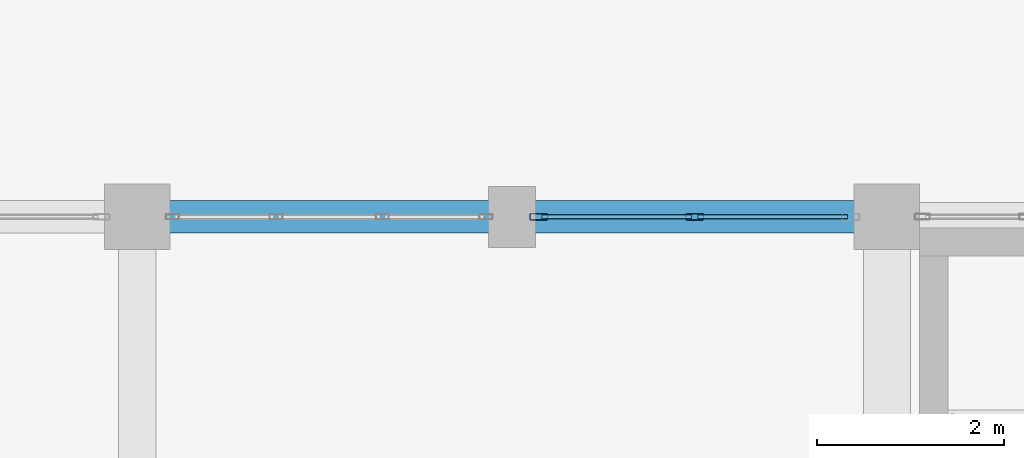
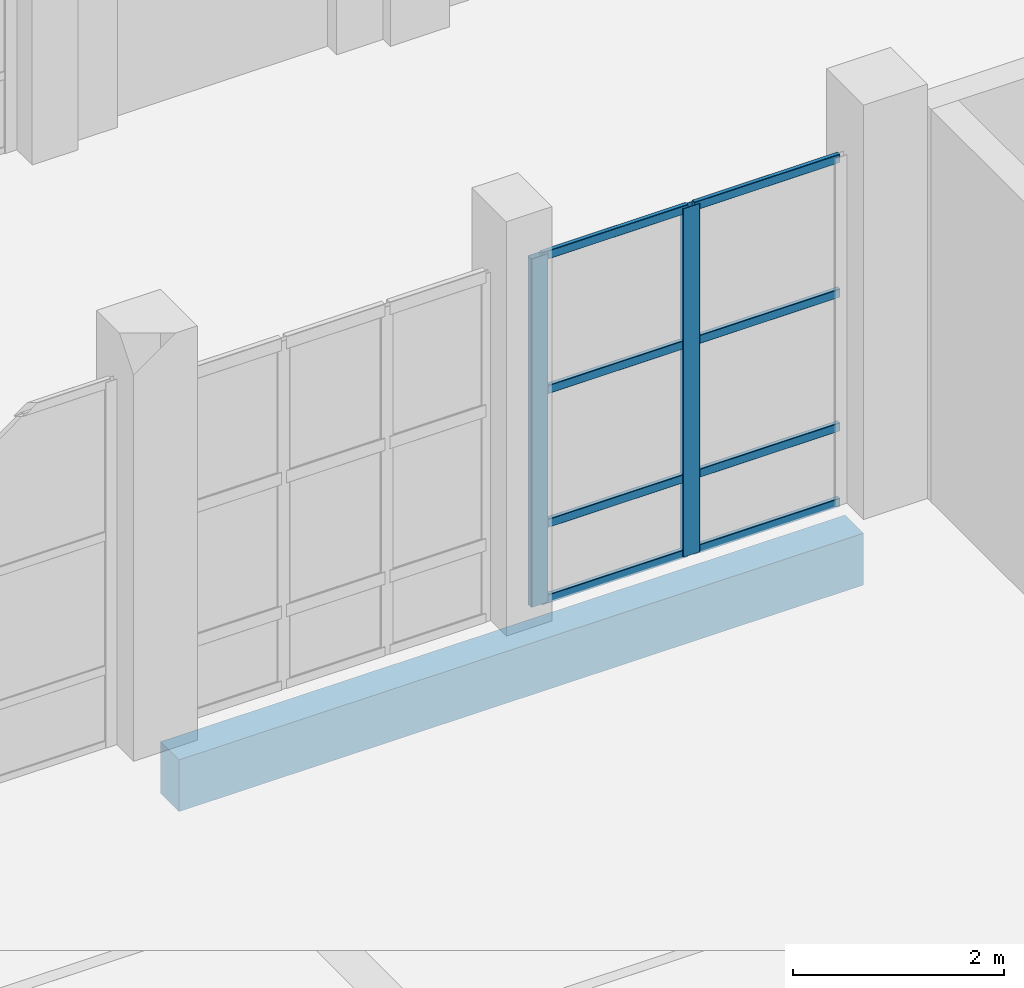
# One storey, part 16 of 156: 10 members, 1 beam, 1 element without a shape of its own.
"""IFC4 building model written with IfcOpenShell, lengths in metres."""

import ifcopenshell
import ifcopenshell.guid

model = None  # the IFC model being written
_history = None  # IfcOwnerHistory: only IFC2X3 demands one
_inside = {}  # id of a spatial element -> (the spatial element, [elements in it])
_under = {}  # id of a project, library or spatial element -> (it, [spatial elements below it])
_declared = {}  # id of a project -> (the project, [libraries it declares])
_typed = {}  # id of a type object -> (the type object, [elements of that type])
_made_of = {}  # id of a material, layer set ... -> (it, [elements and type objects made of it])


def new_model(schema):
    """Start an empty IFC model of exactly this schema.

    Asked for "IFC4X3", IfcOpenShell would pick the latest addendum, in which some entities
    have other attributes; the version numbers below select the first issue.
    IFC2X3 requires an IfcOwnerHistory on every rooted entity: one is made here for all.
    """
    global model, _history
    if schema == "IFC4X3":
        model = ifcopenshell.file(schema_version=(4, 3, 0, 0))
    else:
        model = ifcopenshell.file(schema=schema)
    _inside.clear()
    _under.clear()
    _declared.clear()
    _typed.clear()
    _made_of.clear()
    _history = None
    if model.schema == "IFC2X3":
        org = make("IfcOrganization", Name="unknown")
        user = make(
            "IfcPersonAndOrganization",
            ThePerson=make("IfcPerson", FamilyName="unknown"),
            TheOrganization=org,
        )
        app = make(
            "IfcApplication",
            ApplicationDeveloper=org,
            Version="unknown",
            ApplicationFullName="unknown",
            ApplicationIdentifier="unknown",
        )
        _history = make(
            "IfcOwnerHistory",
            OwningUser=user,
            OwningApplication=app,
            ChangeAction="ADDED",
            CreationDate=0,
        )
    return model


def make(cls, **values):
    """One entity of the class cls with the attributes given. An attribute that is None is left unset."""
    return model.create_entity(
        cls, **{name: value for name, value in values.items() if value is not None}
    )


def rooted(cls, **values):
    """An entity with a GlobalId (a new one), such as an element, a storey or a relation."""
    return make(cls, GlobalId=ifcopenshell.guid.new(), OwnerHistory=_history, **values)


def si_unit(unit_type, name, prefix=None):
    """IfcSIUnit, for example si_unit("LENGTHUNIT", "METRE", prefix="MILLI")."""
    return make("IfcSIUnit", UnitType=unit_type, Prefix=prefix, Name=name)


def assignment(units):
    """IfcUnitAssignment: the units of a project."""
    return None if units is None else make("IfcUnitAssignment", Units=units)


def point(xyz):
    """IfcCartesianPoint."""
    return None if xyz is None else make("IfcCartesianPoint", Coordinates=xyz)


def direction(xyz):
    """IfcDirection."""
    return None if xyz is None else make("IfcDirection", DirectionRatios=xyz)


def frame(location, z_axis=None, x_axis=None):
    """IfcAxis2Placement3D, a coordinate frame: its origin and axes. An axis left out is left unset."""
    return make(
        "IfcAxis2Placement3D",
        Location=point(location),
        Axis=direction(z_axis),
        RefDirection=direction(x_axis),
    )


def frame_2d(location, x_axis=None):
    """IfcAxis2Placement2D, a coordinate frame in the plane: its origin and x axis."""
    return make(
        "IfcAxis2Placement2D", Location=point(location), RefDirection=direction(x_axis)
    )


def origin():
    """The frame at (0, 0, 0) with its axes left unset."""
    return frame((0.0, 0.0, 0.0))


def origin_2d():
    """The frame at (0, 0) in the plane with its x axis left unset."""
    return frame_2d((0.0, 0.0))


def place(relative_to, where):
    """IfcLocalPlacement: puts the frame where relative to a parent placement (None: the world)."""
    return make(
        "IfcLocalPlacement", PlacementRelTo=relative_to, RelativePlacement=where
    )


def context(
    kind, dimensions, precision=None, world=None, true_north=None, identifier=None
):
    """IfcGeometricRepresentationContext, for example the 3D "Model" context."""
    return make(
        "IfcGeometricRepresentationContext",
        ContextIdentifier=identifier,
        ContextType=kind,
        CoordinateSpaceDimension=dimensions,
        Precision=precision,
        WorldCoordinateSystem=world,
        TrueNorth=true_north,
    )


def subcontext(parent, identifier, kind, view, scale=None):
    """IfcGeometricRepresentationSubContext, for example "Body" below "Model"."""
    return make(
        "IfcGeometricRepresentationSubContext",
        ContextIdentifier=identifier,
        ContextType=kind,
        ParentContext=parent,
        TargetScale=scale,
        TargetView=view,
    )


def project(units=None, contexts=None):
    """IfcProject with its units and contexts."""
    return rooted(
        "IfcProject",
        Name="project",
        RepresentationContexts=contexts,
        UnitsInContext=assignment(units),
    )


def spatial(cls, under=None, at=None, **own):
    """A site, building, storey or space (cls), placed at a placement, below another one or the project."""
    s = rooted(cls, ObjectPlacement=at, **own)
    if under is not None:
        _under.setdefault(under.id(), (under, []))[1].append(s)
    return s


def profile(cls, at=None, kind="AREA", **sizes):
    """A parametric profile (cls). Its sizes go by their IFC names, for example OverallWidth=200.0."""
    return make(cls, ProfileType=kind, Position=at, **sizes)


def rectangle(**sizes):
    """IfcRectangleProfileDef."""
    return profile("IfcRectangleProfileDef", **sizes)


def hollow_rectangle(**sizes):
    """IfcRectangleHollowProfileDef."""
    return profile("IfcRectangleHollowProfileDef", **sizes)


def extrude(swept, where, along, depth):
    """IfcExtrudedAreaSolid: the profile swept, set in the frame where, extruded along a direction by depth."""
    return make(
        "IfcExtrudedAreaSolid",
        SweptArea=swept,
        Position=where,
        ExtrudedDirection=direction(along),
        Depth=depth,
    )


def shape(context_of_items, identifier, shape_type, items):
    """IfcShapeRepresentation: the items that make up one representation, for example the "Body"."""
    return make(
        "IfcShapeRepresentation",
        ContextOfItems=context_of_items,
        RepresentationIdentifier=identifier,
        RepresentationType=shape_type,
        Items=items,
    )


def material(Name=None, Category=None):
    """IfcMaterial."""
    return make("IfcMaterial", Name=Name, Category=Category)


def material_profile(
    of_material, cross_section, Name=None, Category=None, Priority=None
):
    """IfcMaterialProfile: a cross section and its material."""
    return make(
        "IfcMaterialProfile",
        Name=Name,
        Material=of_material,
        Profile=cross_section,
        Priority=Priority,
        Category=Category,
    )


def profile_set(profiles, Name=None, composite=None):
    """IfcMaterialProfileSet."""
    return make(
        "IfcMaterialProfileSet",
        Name=Name,
        MaterialProfiles=profiles,
        CompositeProfile=composite,
    )


def made_of(thing, what):
    """Note that an element or type object is made of a material, layer set ...; save() writes the relation."""
    if what is not None:
        _made_of.setdefault(what.id(), (what, []))[1].append(thing)
    return thing


def type_object(cls, material=None, **own):
    """A type object (cls), such as IfcWallType, which elements share."""
    return made_of(rooted(cls, **own), material)


def element(
    cls,
    number,
    at=None,
    inside=None,
    cuts=None,
    type_object=None,
    material=None,
    context=None,
    identifier="Body",
    shape_type=None,
    held_by="IfcProductDefinitionShape",
    body=None,
    shapes=None,
    **own,
):
    """One element of the class cls, such as IfcWall. Its Tag is "e" and its number.

    at: its placement. inside: the storey or other place that contains it. cuts: it is an
    opening in that element (IfcRelVoidsElement). A single representation is given by context,
    identifier, shape_type and body (its items); several are given by shapes. held_by: the class
    of the entity that holds the representations. save() writes the other relations.
    """
    e = rooted(cls, Tag="e%d" % number, ObjectPlacement=at, **own)
    if body is not None:
        shapes = [shape(context, identifier, shape_type, body)]
    if shapes is not None:
        e.Representation = make(held_by, Representations=shapes)
    if inside is not None:
        _inside.setdefault(inside.id(), (inside, []))[1].append(e)
    if cuts is not None:
        rooted(
            "IfcRelVoidsElement", RelatingBuildingElement=cuts, RelatedOpeningElement=e
        )
    if type_object is not None:
        _typed.setdefault(type_object.id(), (type_object, []))[1].append(e)
    return made_of(e, material)


def aggregate(whole, parts):
    """IfcRelAggregates: a whole, such as a stair, and the parts it consists of."""
    return rooted("IfcRelAggregates", RelatingObject=whole, RelatedObjects=parts)


def save(model, path):
    """Write the relations noted so far, then the file.

    IfcRelAggregates (storeys below a building ...), IfcRelContainedInSpatialStructure (elements
    in a storey), IfcRelDefinesByType, IfcRelAssociatesMaterial and IfcRelDeclares: one each for
    every whole, place, type object, material and project.
    """
    for whole, parts in _under.values():
        aggregate(whole, parts)
    for where, things in _inside.values():
        rooted(
            "IfcRelContainedInSpatialStructure",
            RelatedElements=things,
            RelatingStructure=where,
        )
    for kind, things in _typed.values():
        rooted("IfcRelDefinesByType", RelatedObjects=things, RelatingType=kind)
    for what, things in _made_of.values():
        rooted("IfcRelAssociatesMaterial", RelatedObjects=things, RelatingMaterial=what)
    for by, libraries in _declared.values():
        rooted("IfcRelDeclares", RelatingContext=by, RelatedDefinitions=libraries)
    model.write(path)


model = new_model("IFC4")

# Units and contexts
model_context = context("Model", 3, precision=1e-05, world=origin(), true_north=direction((0.0, 1.0)))
body_context = subcontext(model_context, "Body", "Model", "MODEL_VIEW")
ifc_project = project(units=[si_unit("LENGTHUNIT", "METRE"), si_unit("AREAUNIT", "SQUARE_METRE"), si_unit("VOLUMEUNIT", "CUBIC_METRE"), si_unit("PLANEANGLEUNIT", "RADIAN"), si_unit("MASSUNIT", "GRAM", prefix="KILO")], contexts=[model_context])

# Site, building, storey
site_placement = place(None, origin())
site = spatial("IfcSite", under=ifc_project, at=site_placement, CompositionType="ELEMENT")
building_placement = place(site_placement, origin())
building = spatial("IfcBuilding", under=site, at=building_placement, Name="Luwemba Playhouse", CompositionType="ELEMENT")
storey_placement = place(building_placement, origin())
storey = spatial("IfcBuildingStorey", under=building, at=storey_placement, Name="L00", CompositionType="ELEMENT", Elevation=0.0)

# Beam
ifc_material_1 = material(Name="Concrete C40/50", Category="concrete")
ifc_material_profile_1 = material_profile(ifc_material_1, rectangle(XDim=0.35009765625, YDim=0.60009765625, at=origin_2d()))
ifc_profile_set_1 = profile_set([ifc_material_profile_1], Name="Concrete C40/50")
beam_type = type_object("IfcBeamType", Name="BM-SP3", PredefinedType="SPANDREL", material=ifc_profile_set_1)
beam_placement = place(storey_placement, frame((28.25, 27.0, -0.60009765625), z_axis=(1.0, 0.0, 0.0), x_axis=(0.0, 1.0, 0.0)))
element("IfcBeam", 1, at=beam_placement, inside=storey, type_object=beam_type, Name="L00 grid girder 0174", PredefinedType="SPANDREL", context=body_context, shape_type="SweptSolid", body=[
    extrude(rectangle(XDim=0.35009765625, YDim=0.60009765625, at=origin_2d()), origin(), (0.0, 0.0, 1.0), 7.5),
])

# Curtain wall, members
ifc_material_2 = material(Name="Solar-control double glazing", Category="glass")
curtain_wall_type = type_object("IfcCurtainWallType", Name="CW-CW31", PredefinedType="USERDEFINED", material=ifc_material_2)
curtain_wall_placement = place(storey_placement, origin())
curtain_wall = element("IfcCurtainWall", 2, at=curtain_wall_placement, inside=storey, type_object=curtain_wall_type, Name="L00 V5W unitised curtain wall 034", ObjectType="UNITISED GLAZING", PredefinedType="USERDEFINED")
ifc_material_3 = material(Name="Aluminium 6063-T6", Category="aluminium")
ifc_material_profile_2 = material_profile(ifc_material_3, hollow_rectangle(XDim=0.070068359375, YDim=0.18994140625, WallThickness=0.0048828125, InnerFilletRadius=0.007568359375, OuterFilletRadius=0.012451171875, at=origin_2d()))
ifc_profile_set_2 = profile_set([ifc_material_profile_2], Name="Aluminium 6063-T6")
member_type_1 = type_object("IfcMemberType", Name="CWM-M4", PredefinedType="MULLION", material=ifc_profile_set_2)
member_1_placement = place(storey_placement, frame((32.284912109375, 27.0, 0.0), z_axis=(0.0, 0.0, 1.0), x_axis=(0.0, 1.0, 0.0)))
member_1 = element("IfcMember", 3, at=member_1_placement, type_object=member_type_1, Name="CW31 mullion 1", PredefinedType="MULLION", context=body_context, shape_type="SweptSolid", body=[
    extrude(hollow_rectangle(XDim=0.070068359375, YDim=0.18994140625, WallThickness=0.0048828125, InnerFilletRadius=0.007568359375, OuterFilletRadius=0.012451171875, at=origin_2d()), origin(), (0.0, 0.0, 1.0), 4.034912109375),
])
member_2_placement = place(storey_placement, frame((33.949951171875, 27.0, 0.0), z_axis=(0.0, 0.0, 1.0), x_axis=(0.0, 1.0, 0.0)))
member_2 = element("IfcMember", 4, at=member_2_placement, type_object=member_type_1, Name="CW31 mullion 2", PredefinedType="MULLION", context=body_context, shape_type="SweptSolid", body=[
    extrude(hollow_rectangle(XDim=0.070068359375, YDim=0.18994140625, WallThickness=0.0048828125, InnerFilletRadius=0.007568359375, OuterFilletRadius=0.012451171875, at=origin_2d()), origin(), (0.0, 0.0, 1.0), 4.034912109375),
])
ifc_material_profile_3 = material_profile(ifc_material_3, hollow_rectangle(XDim=0.050048828125, YDim=0.10009765625, WallThickness=0.00341796875, InnerFilletRadius=0.00537109375, OuterFilletRadius=0.0087890625, at=origin_2d()))
ifc_profile_set_3 = profile_set([ifc_material_profile_3], Name="Aluminium 6063-T6")
member_type_2 = type_object("IfcMemberType", Name="CWT-T4", PredefinedType="USERDEFINED", material=ifc_profile_set_3)
member_3_placement = place(storey_placement, frame((32.320068359375, 27.0, 0.02490234375), z_axis=(1.0, 0.0, 0.0), x_axis=(0.0, 1.0, 0.0)))
member_3 = element("IfcMember", 5, at=member_3_placement, type_object=member_type_2, Name="CW31 transom 1.1", ObjectType="TRANSOM", PredefinedType="USERDEFINED", context=body_context, shape_type="SweptSolid", body=[
    extrude(hollow_rectangle(XDim=0.050048828125, YDim=0.10009765625, WallThickness=0.00341796875, InnerFilletRadius=0.00537109375, OuterFilletRadius=0.0087890625, at=origin_2d()), origin(), (0.0, 0.0, 1.0), 1.594970703125),
])
member_4_placement = place(storey_placement, frame((32.320068359375, 27.0, 0.89990234375), z_axis=(1.0, 0.0, 0.0), x_axis=(0.0, 1.0, 0.0)))
member_4 = element("IfcMember", 6, at=member_4_placement, type_object=member_type_2, Name="CW31 transom 1.2", ObjectType="TRANSOM", PredefinedType="USERDEFINED", context=body_context, shape_type="SweptSolid", body=[
    extrude(hollow_rectangle(XDim=0.050048828125, YDim=0.10009765625, WallThickness=0.00341796875, InnerFilletRadius=0.00537109375, OuterFilletRadius=0.0087890625, at=origin_2d()), origin(), (0.0, 0.0, 1.0), 1.594970703125),
])
member_5_placement = place(storey_placement, frame((32.320068359375, 27.0, 2.449951171875), z_axis=(1.0, 0.0, 0.0), x_axis=(0.0, 1.0, 0.0)))
member_5 = element("IfcMember", 7, at=member_5_placement, type_object=member_type_2, Name="CW31 transom 1.3", ObjectType="TRANSOM", PredefinedType="USERDEFINED", context=body_context, shape_type="SweptSolid", body=[
    extrude(hollow_rectangle(XDim=0.050048828125, YDim=0.10009765625, WallThickness=0.00341796875, InnerFilletRadius=0.00537109375, OuterFilletRadius=0.0087890625, at=origin_2d()), origin(), (0.0, 0.0, 1.0), 1.594970703125),
])
member_6_placement = place(storey_placement, frame((32.320068359375, 27.0, 4.010009765625), z_axis=(1.0, 0.0, 0.0), x_axis=(0.0, 1.0, 0.0)))
member_6 = element("IfcMember", 8, at=member_6_placement, type_object=member_type_2, Name="CW31 transom 1.4", ObjectType="TRANSOM", PredefinedType="USERDEFINED", context=body_context, shape_type="SweptSolid", body=[
    extrude(hollow_rectangle(XDim=0.050048828125, YDim=0.10009765625, WallThickness=0.00341796875, InnerFilletRadius=0.00537109375, OuterFilletRadius=0.0087890625, at=origin_2d()), origin(), (0.0, 0.0, 1.0), 1.594970703125),
])
member_7_placement = place(storey_placement, frame((33.985107421875, 27.0, 0.02490234375), z_axis=(1.0, 0.0, 0.0), x_axis=(0.0, 1.0, 0.0)))
member_7 = element("IfcMember", 9, at=member_7_placement, type_object=member_type_2, Name="CW31 transom 2.1", ObjectType="TRANSOM", PredefinedType="USERDEFINED", context=body_context, shape_type="SweptSolid", body=[
    extrude(hollow_rectangle(XDim=0.050048828125, YDim=0.10009765625, WallThickness=0.00341796875, InnerFilletRadius=0.00537109375, OuterFilletRadius=0.0087890625, at=origin_2d()), origin(), (0.0, 0.0, 1.0), 1.594970703125),
])
member_8_placement = place(storey_placement, frame((33.985107421875, 27.0, 0.89990234375), z_axis=(1.0, 0.0, 0.0), x_axis=(0.0, 1.0, 0.0)))
member_8 = element("IfcMember", 10, at=member_8_placement, type_object=member_type_2, Name="CW31 transom 2.2", ObjectType="TRANSOM", PredefinedType="USERDEFINED", context=body_context, shape_type="SweptSolid", body=[
    extrude(hollow_rectangle(XDim=0.050048828125, YDim=0.10009765625, WallThickness=0.00341796875, InnerFilletRadius=0.00537109375, OuterFilletRadius=0.0087890625, at=origin_2d()), origin(), (0.0, 0.0, 1.0), 1.594970703125),
])
member_9_placement = place(storey_placement, frame((33.985107421875, 27.0, 2.449951171875), z_axis=(1.0, 0.0, 0.0), x_axis=(0.0, 1.0, 0.0)))
member_9 = element("IfcMember", 11, at=member_9_placement, type_object=member_type_2, Name="CW31 transom 2.3", ObjectType="TRANSOM", PredefinedType="USERDEFINED", context=body_context, shape_type="SweptSolid", body=[
    extrude(hollow_rectangle(XDim=0.050048828125, YDim=0.10009765625, WallThickness=0.00341796875, InnerFilletRadius=0.00537109375, OuterFilletRadius=0.0087890625, at=origin_2d()), origin(), (0.0, 0.0, 1.0), 1.594970703125),
])
member_10_placement = place(storey_placement, frame((33.985107421875, 27.0, 4.010009765625), z_axis=(1.0, 0.0, 0.0), x_axis=(0.0, 1.0, 0.0)))
member_10 = element("IfcMember", 12, at=member_10_placement, type_object=member_type_2, Name="CW31 transom 2.4", ObjectType="TRANSOM", PredefinedType="USERDEFINED", context=body_context, shape_type="SweptSolid", body=[
    extrude(hollow_rectangle(XDim=0.050048828125, YDim=0.10009765625, WallThickness=0.00341796875, InnerFilletRadius=0.00537109375, OuterFilletRadius=0.0087890625, at=origin_2d()), origin(), (0.0, 0.0, 1.0), 1.594970703125),
])
aggregate(curtain_wall, [member_1, member_2, member_3, member_4, member_5, member_6, member_7, member_8, member_9, member_10])

save(model, "model.ifc")
